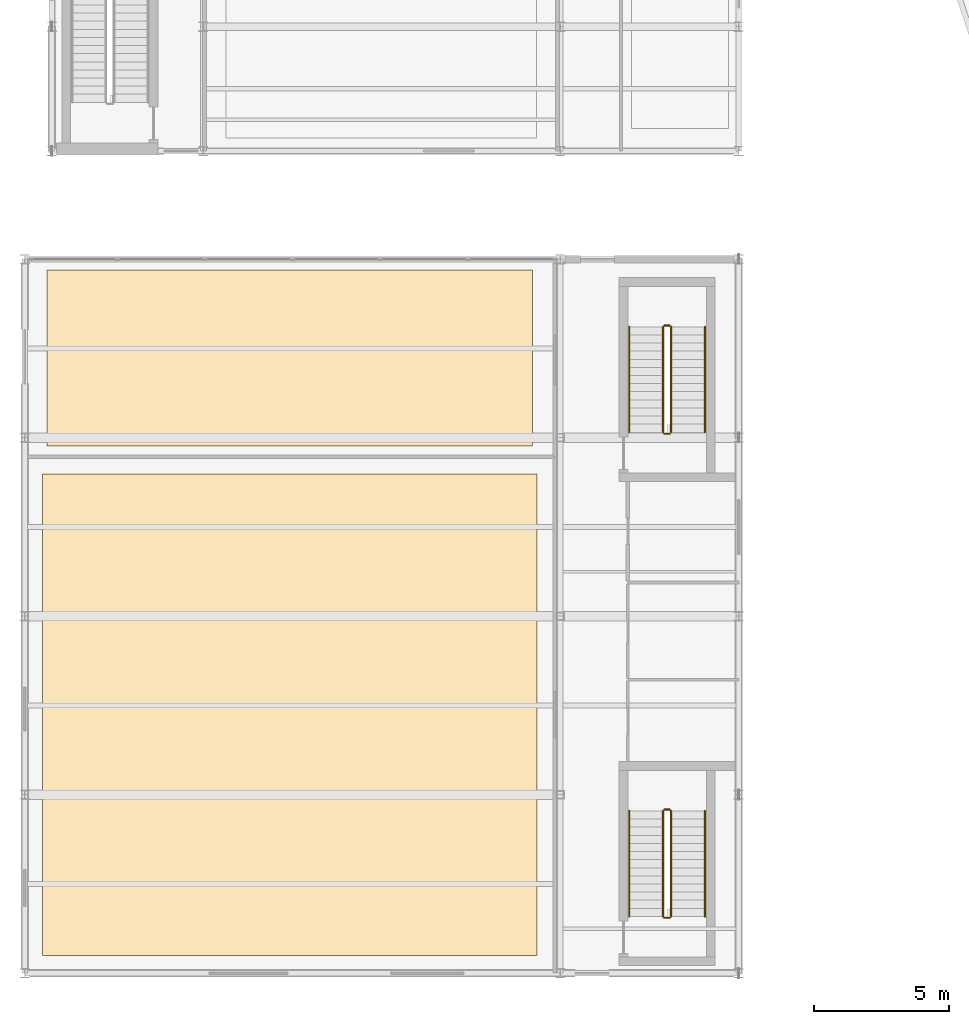
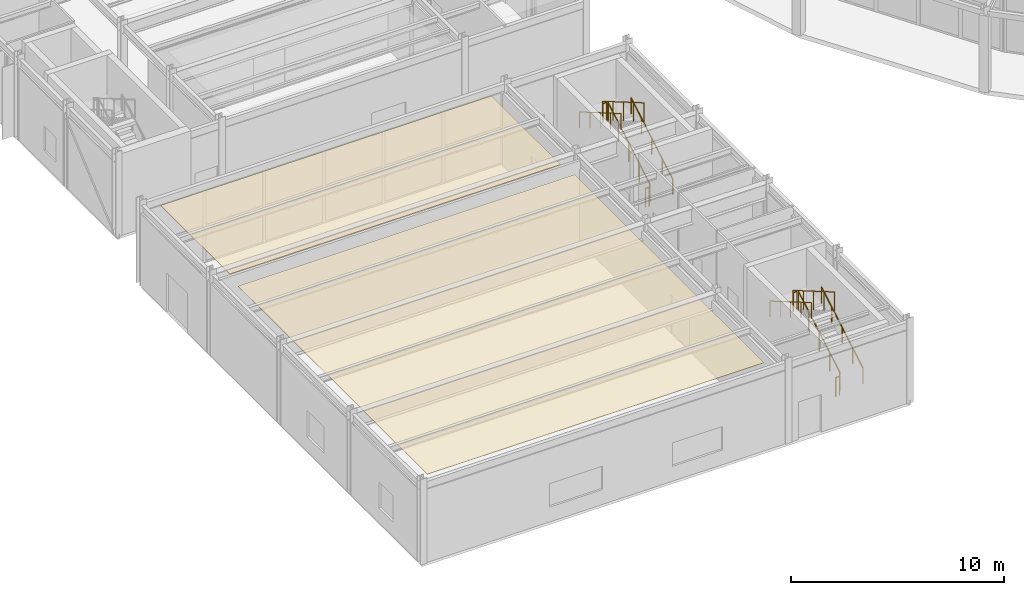
# One storey, part 133 of 144: 12 railings, 2 coverings.
"""IFC4 building model written with IfcOpenShell, lengths in metres."""

from ifc_helpers import new_model, si_unit, direction, frame, origin, origin_2d, place, context, subcontext, project, spatial, polyline, circle, outline, extrude, material, layer, layer_set, type_object, element, save


model = new_model("IFC4")

# Units and contexts
model_context = context("Model", 3, precision=1e-05, world=origin(), true_north=direction((0.0, 1.0)))
body_context = subcontext(model_context, "Body", "Model", "MODEL_VIEW")
ifc_project = project(units=[si_unit("LENGTHUNIT", "METRE"), si_unit("AREAUNIT", "SQUARE_METRE"), si_unit("VOLUMEUNIT", "CUBIC_METRE"), si_unit("PLANEANGLEUNIT", "RADIAN"), si_unit("MASSUNIT", "GRAM", prefix="KILO")], contexts=[model_context])

# Site, building, storey
site_placement = place(None, origin())
site = spatial("IfcSite", under=ifc_project, at=site_placement, CompositionType="ELEMENT")
building_placement = place(site_placement, origin())
building = spatial("IfcBuilding", under=site, at=building_placement, Name="Karori Crest Natural Sciences Institute", CompositionType="ELEMENT")
storey_placement = place(building_placement, origin())
storey = spatial("IfcBuildingStorey", under=building, at=storey_placement, Name="L00", CompositionType="ELEMENT", Elevation=0.0)

# Coverings
ifc_material_1 = material(Name="Acoustic mineral fibre ceiling tile")
ifc_layer = layer(ifc_material_1, 0.02490234375, Name="Acoustic mineral fibre ceiling tile")
ifc_layer_set = layer_set([ifc_layer], Name="Acoustic mineral fibre ceiling tile")
covering_type = type_object("IfcCoveringType", Name="CVT-CEIL", PredefinedType="CEILING", material=ifc_layer_set)
covering_1_placement = place(storey_placement, frame((0.0, 0.0, 4.405029296875)))
element("IfcCovering", 1, at=covering_1_placement, inside=storey, type_object=covering_type, Name="Acoustic ceiling CLG-0037", PredefinedType="CEILING", context=body_context, shape_type="SweptSolid", body=[
    extrude(outline(polyline([(1.46142578125, 19.251708984375), (1.46142578125, 1.448486328125), (19.738525390625, 1.448486328125), (19.738525390625, 19.251708984375), (1.46142578125, 19.251708984375)])), origin(), (0.0, 0.0, 1.0), 0.02490234375),
])
covering_2_placement = place(storey_placement, frame((0.0, 0.0, 4.405029296875)))
element("IfcCovering", 2, at=covering_2_placement, inside=storey, type_object=covering_type, Name="Acoustic ceiling CLG-0038", PredefinedType="CEILING", context=body_context, shape_type="SweptSolid", body=[
    extrude(outline(polyline([(1.6181640625, 26.8017578125), (1.6181640625, 20.29833984375), (19.581787109375, 20.29833984375), (19.581787109375, 26.8017578125), (1.6181640625, 26.8017578125)])), origin(), (0.0, 0.0, 1.0), 0.02490234375),
])

# Railings
ifc_material_2 = material(Name="Stainless steel 316 tubular handrail", Category="steel")
railing_type_1 = type_object("IfcRailingType", Name="RLT-HND", PredefinedType="HANDRAIL", material=ifc_material_2)
railing_1_placement = place(storey_placement, frame((25.949951171875, 2.89990234375, 0.175048828125)))
element("IfcRailing", 3, at=railing_1_placement, inside=storey, type_object=railing_type_1, Name="Stair handrail RL-0379", PredefinedType="HANDRAIL", context=body_context, shape_type="SweptSolid", body=[
    extrude(circle(Radius=0.02392578125, at=origin_2d()), frame((0.0, 0.0, 0.90087890625), z_axis=(0.0, 0.86379655074, 0.503840767436), x_axis=(-1.0, 0.0, 0.0)), (0.0, 0.0, 1.0), 4.51513671875),
    extrude(circle(Radius=0.02099609375, at=origin_2d()), origin(), (0.0, 0.0, 1.0), 0.876953125),
    extrude(circle(Radius=0.02099609375, at=origin_2d()), frame((0.0, 0.97509765625, 0.56884765625)), (0.0, 0.0, 1.0), 0.876953125),
    extrude(circle(Radius=0.02099609375, at=origin_2d()), frame((0.0, 1.9501953125, 1.137451171875)), (0.0, 0.0, 1.0), 0.876953125),
    extrude(circle(Radius=0.02099609375, at=origin_2d()), frame((0.0, 2.925048828125, 1.7060546875)), (0.0, 0.0, 1.0), 0.876953125),
    extrude(circle(Radius=0.02099609375, at=origin_2d()), frame((0.0, 3.900146484375, 2.27490234375)), (0.0, 0.0, 1.0), 0.876953125),
])
railing_2_placement = place(storey_placement, frame((23.14990234375, 6.800048828125, 2.625)))
element("IfcRailing", 4, at=railing_2_placement, inside=storey, type_object=railing_type_1, Name="Stair handrail RL-0380", PredefinedType="HANDRAIL", context=body_context, shape_type="SweptSolid", body=[
    extrude(circle(Radius=0.02392578125, at=origin_2d()), frame((0.0, 0.0, 0.90087890625), z_axis=(0.0, -0.86379655074, 0.503840767436), x_axis=(1.0, 0.0, 0.0)), (0.0, 0.0, 1.0), 4.51513671875),
    extrude(circle(Radius=0.02099609375, at=origin_2d()), origin(), (0.0, 0.0, 1.0), 0.876953125),
    extrude(circle(Radius=0.02099609375, at=origin_2d()), frame((0.0, -0.97509765625, 0.56884765625)), (0.0, 0.0, 1.0), 0.876953125),
    extrude(circle(Radius=0.02099609375, at=origin_2d()), frame((0.0, -1.9501953125, 1.137451171875)), (0.0, 0.0, 1.0), 0.876953125),
    extrude(circle(Radius=0.02099609375, at=origin_2d()), frame((0.0, -2.925048828125, 1.7060546875)), (0.0, 0.0, 1.0), 0.876953125),
    extrude(circle(Radius=0.02099609375, at=origin_2d()), frame((0.0, -3.900146484375, 2.27490234375)), (0.0, 0.0, 1.0), 0.876953125),
])
railing_3_placement = place(storey_placement, frame((25.949951171875, 20.800048828125, 0.175048828125)))
element("IfcRailing", 5, at=railing_3_placement, inside=storey, type_object=railing_type_1, Name="Stair handrail RL-0398", PredefinedType="HANDRAIL", context=body_context, shape_type="SweptSolid", body=[
    extrude(circle(Radius=0.02392578125, at=origin_2d()), frame((0.0, 0.0, 0.90087890625), z_axis=(0.0, 0.86378282336, 0.503864301244), x_axis=(-1.0, 0.0, 0.0)), (0.0, 0.0, 1.0), 4.514892578125),
    extrude(circle(Radius=0.02099609375, at=origin_2d()), origin(), (0.0, 0.0, 1.0), 0.876953125),
    extrude(circle(Radius=0.02099609375, at=origin_2d()), frame((0.0, 0.97509765625, 0.56884765625)), (0.0, 0.0, 1.0), 0.876953125),
    extrude(circle(Radius=0.02099609375, at=origin_2d()), frame((0.0, 1.949951171875, 1.137451171875)), (0.0, 0.0, 1.0), 0.876953125),
    extrude(circle(Radius=0.02099609375, at=origin_2d()), frame((0.0, 2.9248046875, 1.7060546875)), (0.0, 0.0, 1.0), 0.876953125),
    extrude(circle(Radius=0.02099609375, at=origin_2d()), frame((0.0, 3.89990234375, 2.27490234375)), (0.0, 0.0, 1.0), 0.876953125),
])
railing_4_placement = place(storey_placement, frame((23.14990234375, 24.699951171875, 2.625)))
element("IfcRailing", 6, at=railing_4_placement, inside=storey, type_object=railing_type_1, Name="Stair handrail RL-0399", PredefinedType="HANDRAIL", context=body_context, shape_type="SweptSolid", body=[
    extrude(circle(Radius=0.02392578125, at=origin_2d()), frame((0.0, 0.0, 0.90087890625), z_axis=(0.0, -0.86378282336, 0.503864301244), x_axis=(1.0, 0.0, 0.0)), (0.0, 0.0, 1.0), 4.514892578125),
    extrude(circle(Radius=0.02099609375, at=origin_2d()), origin(), (0.0, 0.0, 1.0), 0.876953125),
    extrude(circle(Radius=0.02099609375, at=origin_2d()), frame((0.0, -0.97509765625, 0.56884765625)), (0.0, 0.0, 1.0), 0.876953125),
    extrude(circle(Radius=0.02099609375, at=origin_2d()), frame((0.0, -1.949951171875, 1.137451171875)), (0.0, 0.0, 1.0), 0.876953125),
    extrude(circle(Radius=0.02099609375, at=origin_2d()), frame((0.0, -2.9248046875, 1.7060546875)), (0.0, 0.0, 1.0), 0.876953125),
    extrude(circle(Radius=0.02099609375, at=origin_2d()), frame((0.0, -3.89990234375, 2.27490234375)), (0.0, 0.0, 1.0), 0.876953125),
])
ifc_material_3 = material(Name="Stainless steel 316 stair guard", Category="steel")
railing_type_2 = type_object("IfcRailingType", Name="RLT-STG", PredefinedType="GUARDRAIL", material=ifc_material_3)
railing_5_placement = place(storey_placement, frame((24.699951171875, 2.89990234375, 0.175048828125)))
element("IfcRailing", 7, at=railing_5_placement, inside=storey, type_object=railing_type_2, Name="Stair guard RL-0375", PredefinedType="GUARDRAIL", context=body_context, shape_type="SweptSolid", body=[
    extrude(circle(Radius=0.02392578125, at=origin_2d()), frame((0.0, 0.0, 1.076171875), z_axis=(0.0, 0.86379655074, 0.503840767436), x_axis=(-1.0, 0.0, 0.0)), (0.0, 0.0, 1.0), 4.51513671875),
    extrude(circle(Radius=0.02099609375, at=origin_2d()), origin(), (0.0, 0.0, 1.0), 1.052001953125),
    extrude(circle(Radius=0.02099609375, at=origin_2d()), frame((0.0, 0.97509765625, 0.56884765625)), (0.0, 0.0, 1.0), 1.052001953125),
    extrude(circle(Radius=0.02099609375, at=origin_2d()), frame((0.0, 1.9501953125, 1.137451171875)), (0.0, 0.0, 1.0), 1.052001953125),
    extrude(circle(Radius=0.02099609375, at=origin_2d()), frame((0.0, 2.925048828125, 1.7060546875)), (0.0, 0.0, 1.0), 1.052001953125),
    extrude(circle(Radius=0.02099609375, at=origin_2d()), frame((0.0, 3.900146484375, 2.27490234375)), (0.0, 0.0, 1.0), 1.052001953125),
])
railing_6_placement = place(storey_placement, frame((24.64990234375, 6.85009765625, 2.449951171875)))
element("IfcRailing", 8, at=railing_6_placement, inside=storey, type_object=railing_type_2, Name="Stair guard RL-0376", PredefinedType="GUARDRAIL", context=body_context, shape_type="SweptSolid", body=[
    extrude(circle(Radius=0.02392578125, at=origin_2d()), frame((0.0, 0.0, 1.076171875), z_axis=(-1.0, 0.0, 0.0), x_axis=(0.0, -1.0, 0.0)), (0.0, 0.0, 1.0), 0.199951171875),
    extrude(circle(Radius=0.02099609375, at=origin_2d()), origin(), (0.0, 0.0, 1.0), 1.052001953125),
    extrude(circle(Radius=0.02099609375, at=origin_2d()), frame((-0.199951171875, 0.0, 0.0)), (0.0, 0.0, 1.0), 1.052001953125),
])
railing_7_placement = place(storey_placement, frame((24.39990234375, 6.800048828125, 2.625)))
element("IfcRailing", 9, at=railing_7_placement, inside=storey, type_object=railing_type_2, Name="Stair guard RL-0377", PredefinedType="GUARDRAIL", context=body_context, shape_type="SweptSolid", body=[
    extrude(circle(Radius=0.02392578125, at=origin_2d()), frame((0.0, 0.0, 1.076171875), z_axis=(0.0, -0.86379655074, 0.503840767436), x_axis=(1.0, 0.0, 0.0)), (0.0, 0.0, 1.0), 4.51513671875),
    extrude(circle(Radius=0.02099609375, at=origin_2d()), origin(), (0.0, 0.0, 1.0), 1.052001953125),
    extrude(circle(Radius=0.02099609375, at=origin_2d()), frame((0.0, -0.97509765625, 0.56884765625)), (0.0, 0.0, 1.0), 1.052001953125),
    extrude(circle(Radius=0.02099609375, at=origin_2d()), frame((0.0, -1.9501953125, 1.137451171875)), (0.0, 0.0, 1.0), 1.052001953125),
    extrude(circle(Radius=0.02099609375, at=origin_2d()), frame((0.0, -2.925048828125, 1.7060546875)), (0.0, 0.0, 1.0), 1.052001953125),
    extrude(circle(Radius=0.02099609375, at=origin_2d()), frame((0.0, -3.900146484375, 2.27490234375)), (0.0, 0.0, 1.0), 1.052001953125),
])
railing_8_placement = place(storey_placement, frame((24.64990234375, 2.85009765625, 0.0)))
element("IfcRailing", 10, at=railing_8_placement, inside=storey, type_object=railing_type_2, Name="Stair guard RL-0378", PredefinedType="GUARDRAIL", context=body_context, shape_type="SweptSolid", body=[
    extrude(circle(Radius=0.02392578125, at=origin_2d()), frame((0.0, 0.0, 1.076171875), z_axis=(-1.0, 0.0, 0.0), x_axis=(0.0, -1.0, 0.0)), (0.0, 0.0, 1.0), 0.199951171875),
    extrude(circle(Radius=0.02099609375, at=origin_2d()), origin(), (0.0, 0.0, 1.0), 1.052001953125),
    extrude(circle(Radius=0.02099609375, at=origin_2d()), frame((-0.199951171875, 0.0, 0.0)), (0.0, 0.0, 1.0), 1.052001953125),
])
railing_9_placement = place(storey_placement, frame((24.699951171875, 20.800048828125, 0.175048828125)))
element("IfcRailing", 11, at=railing_9_placement, inside=storey, type_object=railing_type_2, Name="Stair guard RL-0394", PredefinedType="GUARDRAIL", context=body_context, shape_type="SweptSolid", body=[
    extrude(circle(Radius=0.02392578125, at=origin_2d()), frame((0.0, 0.0, 1.076171875), z_axis=(0.0, 0.86378282336, 0.503864301244), x_axis=(-1.0, 0.0, 0.0)), (0.0, 0.0, 1.0), 4.514892578125),
    extrude(circle(Radius=0.02099609375, at=origin_2d()), origin(), (0.0, 0.0, 1.0), 1.052001953125),
    extrude(circle(Radius=0.02099609375, at=origin_2d()), frame((0.0, 0.97509765625, 0.56884765625)), (0.0, 0.0, 1.0), 1.052001953125),
    extrude(circle(Radius=0.02099609375, at=origin_2d()), frame((0.0, 1.949951171875, 1.137451171875)), (0.0, 0.0, 1.0), 1.052001953125),
    extrude(circle(Radius=0.02099609375, at=origin_2d()), frame((0.0, 2.9248046875, 1.7060546875)), (0.0, 0.0, 1.0), 1.052001953125),
    extrude(circle(Radius=0.02099609375, at=origin_2d()), frame((0.0, 3.89990234375, 2.27490234375)), (0.0, 0.0, 1.0), 1.052001953125),
])
railing_10_placement = place(storey_placement, frame((24.64990234375, 24.75, 2.449951171875)))
element("IfcRailing", 12, at=railing_10_placement, inside=storey, type_object=railing_type_2, Name="Stair guard RL-0395", PredefinedType="GUARDRAIL", context=body_context, shape_type="SweptSolid", body=[
    extrude(circle(Radius=0.02392578125, at=origin_2d()), frame((0.0, 0.0, 1.076171875), z_axis=(-1.0, 0.0, 0.0), x_axis=(0.0, -1.0, 0.0)), (0.0, 0.0, 1.0), 0.199951171875),
    extrude(circle(Radius=0.02099609375, at=origin_2d()), origin(), (0.0, 0.0, 1.0), 1.052001953125),
    extrude(circle(Radius=0.02099609375, at=origin_2d()), frame((-0.199951171875, 0.0, 0.0)), (0.0, 0.0, 1.0), 1.052001953125),
])
railing_11_placement = place(storey_placement, frame((24.39990234375, 24.699951171875, 2.625)))
element("IfcRailing", 13, at=railing_11_placement, inside=storey, type_object=railing_type_2, Name="Stair guard RL-0396", PredefinedType="GUARDRAIL", context=body_context, shape_type="SweptSolid", body=[
    extrude(circle(Radius=0.02392578125, at=origin_2d()), frame((0.0, 0.0, 1.076171875), z_axis=(0.0, -0.86378282336, 0.503864301244), x_axis=(1.0, 0.0, 0.0)), (0.0, 0.0, 1.0), 4.514892578125),
    extrude(circle(Radius=0.02099609375, at=origin_2d()), origin(), (0.0, 0.0, 1.0), 1.052001953125),
    extrude(circle(Radius=0.02099609375, at=origin_2d()), frame((0.0, -0.97509765625, 0.56884765625)), (0.0, 0.0, 1.0), 1.052001953125),
    extrude(circle(Radius=0.02099609375, at=origin_2d()), frame((0.0, -1.949951171875, 1.137451171875)), (0.0, 0.0, 1.0), 1.052001953125),
    extrude(circle(Radius=0.02099609375, at=origin_2d()), frame((0.0, -2.9248046875, 1.7060546875)), (0.0, 0.0, 1.0), 1.052001953125),
    extrude(circle(Radius=0.02099609375, at=origin_2d()), frame((0.0, -3.89990234375, 2.27490234375)), (0.0, 0.0, 1.0), 1.052001953125),
])
railing_12_placement = place(storey_placement, frame((24.64990234375, 20.75, 0.0)))
element("IfcRailing", 14, at=railing_12_placement, inside=storey, type_object=railing_type_2, Name="Stair guard RL-0397", PredefinedType="GUARDRAIL", context=body_context, shape_type="SweptSolid", body=[
    extrude(circle(Radius=0.02392578125, at=origin_2d()), frame((0.0, 0.0, 1.076171875), z_axis=(-1.0, 0.0, 0.0), x_axis=(0.0, -1.0, 0.0)), (0.0, 0.0, 1.0), 0.199951171875),
    extrude(circle(Radius=0.02099609375, at=origin_2d()), origin(), (0.0, 0.0, 1.0), 1.052001953125),
    extrude(circle(Radius=0.02099609375, at=origin_2d()), frame((-0.199951171875, 0.0, 0.0)), (0.0, 0.0, 1.0), 1.052001953125),
])

save(model, "model.ifc")
